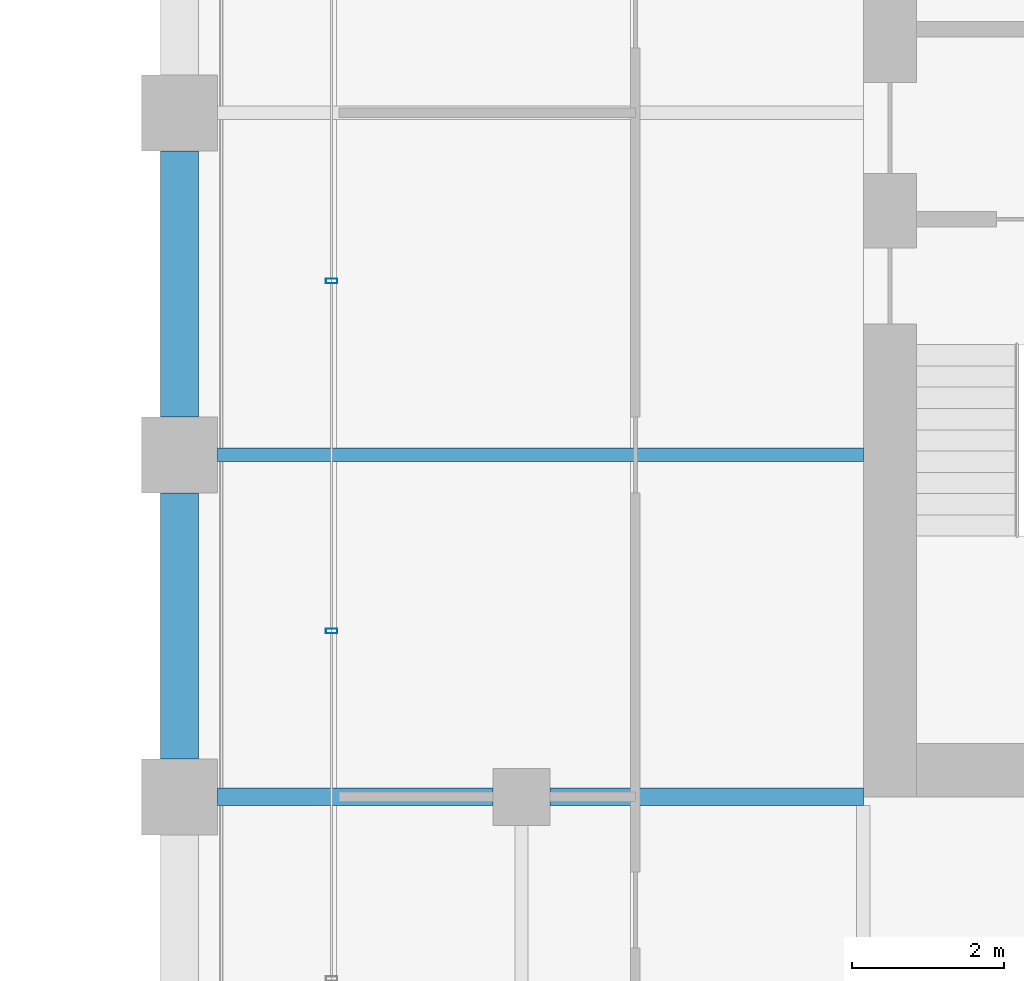
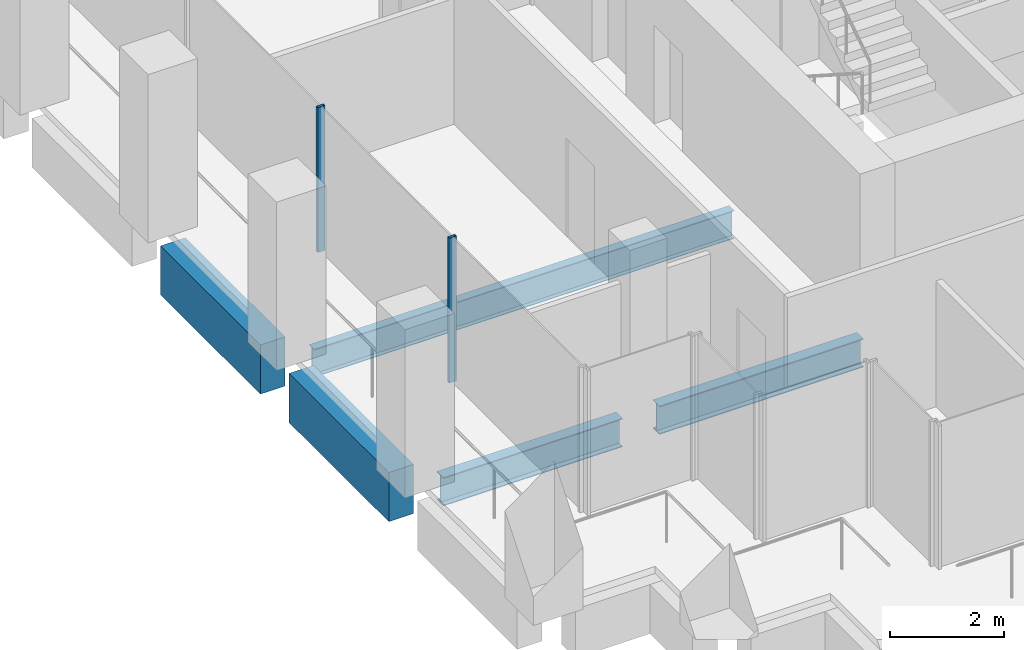
# One storey, part 30 of 46: 5 beams, 2 members, 1 element without a shape of its own.
"""IFC4 building model written with IfcOpenShell, lengths in metres."""

from ifc_helpers import new_model, si_unit, direction, frame, origin, origin_2d, place, context, subcontext, project, spatial, rectangle, hollow_rectangle, i_section, extrude, material, material_profile, profile_set, type_object, element, aggregate, save


model = new_model("IFC4")

# Units and contexts
model_context = context("Model", 3, precision=1e-05, world=origin(), true_north=direction((0.0, 1.0)))
body_context = subcontext(model_context, "Body", "Model", "MODEL_VIEW")
ifc_project = project(units=[si_unit("LENGTHUNIT", "METRE"), si_unit("AREAUNIT", "SQUARE_METRE"), si_unit("VOLUMEUNIT", "CUBIC_METRE"), si_unit("PLANEANGLEUNIT", "RADIAN"), si_unit("MASSUNIT", "GRAM", prefix="KILO")], contexts=[model_context])

# Site, building, storey
site_placement = place(None, origin())
site = spatial("IfcSite", under=ifc_project, at=site_placement, CompositionType="ELEMENT")
building_placement = place(site_placement, origin())
building = spatial("IfcBuilding", under=site, at=building_placement, Name="Altepetl Exchange Towers", CompositionType="ELEMENT")
storey_placement = place(building_placement, frame((0.0, 0.0, 135.199951171875)))
storey = spatial("IfcBuildingStorey", under=building, at=storey_placement, Name="L33", CompositionType="ELEMENT", Elevation=135.199951171875)

# Beams
ifc_material_1 = material(Name="Steel S355", Category="steel")
ifc_material_profile_1 = material_profile(ifc_material_1, i_section(OverallWidth=0.177978515625, OverallDepth=0.59912109375, WebThickness=0.010009765625, FlangeThickness=0.0126953125, at=origin_2d()), Name="W24X55")
ifc_profile_set_1 = profile_set([ifc_material_profile_1], Name="Steel S355")
beam_type_1 = type_object("IfcBeamType", Name="Floor beam W24X55", PredefinedType="BEAM", material=ifc_profile_set_1)
beam_1_placement = place(storey_placement, frame((95.0, 40.5, -0.449462890625), z_axis=(1.0, 0.0, 0.0), x_axis=(0.0, 1.0, 0.0)))
element("IfcBeam", 1, at=beam_1_placement, inside=storey, type_object=beam_type_1, Name="bm:B:L33:008", PredefinedType="BEAM", context=body_context, shape_type="SweptSolid", body=[
    extrude(i_section(OverallWidth=0.177978515625, OverallDepth=0.59912109375, WebThickness=0.010009765625, FlangeThickness=0.0126953125, at=origin_2d()), origin(), (0.0, 0.0, 1.0), 8.5),
])
ifc_material_profile_2 = material_profile(ifc_material_1, i_section(OverallWidth=0.22802734375, OverallDepth=0.60791015625, WebThickness=0.01123046875, FlangeThickness=0.017333984375, at=origin_2d()), Name="W24X76")
ifc_profile_set_2 = profile_set([ifc_material_profile_2], Name="Steel S355")
beam_type_2 = type_object("IfcBeamType", Name="Girder W24X76", PredefinedType="BEAM", material=ifc_profile_set_2)
beam_2_placement = place(storey_placement, frame((103.5, 36.0, -0.453857421875), z_axis=(-1.0, 0.0, 0.0), x_axis=(0.0, -1.0, 0.0)))
element("IfcBeam", 2, at=beam_2_placement, inside=storey, type_object=beam_type_2, Name="gd:B:L33:002", PredefinedType="BEAM", context=body_context, shape_type="SweptSolid", body=[
    extrude(i_section(OverallWidth=0.22802734375, OverallDepth=0.60791015625, WebThickness=0.01123046875, FlangeThickness=0.017333984375, at=origin_2d()), origin(), (0.0, 0.0, 1.0), 4.125),
])
beam_3_placement = place(storey_placement, frame((98.625, 36.0, -0.453857421875), z_axis=(-1.0, 0.0, 0.0), x_axis=(0.0, -1.0, 0.0)))
element("IfcBeam", 3, at=beam_3_placement, inside=storey, type_object=beam_type_2, Name="gd:B:L33:003", PredefinedType="BEAM", context=body_context, shape_type="SweptSolid", body=[
    extrude(i_section(OverallWidth=0.22802734375, OverallDepth=0.60791015625, WebThickness=0.01123046875, FlangeThickness=0.017333984375, at=origin_2d()), origin(), (0.0, 0.0, 1.0), 3.625),
])

# Curtain wall, members
ifc_material_2 = material(Name="Aluminium 6063-T6 glazing", Category="aluminium")
curtain_wall_type = type_object("IfcCurtainWallType", Name="Loggia glazing system", PredefinedType="NOTDEFINED", material=ifc_material_2)
curtain_wall_placement = place(storey_placement, origin())
curtain_wall = element("IfcCurtainWall", 4, at=curtain_wall_placement, inside=storey, type_object=curtain_wall_type, Name="CW1 run", PredefinedType="NOTDEFINED")
ifc_material_3 = material(Name="Aluminium 6063-T6", Category="aluminium")
ifc_material_profile_3 = material_profile(ifc_material_3, hollow_rectangle(XDim=0.06005859375, YDim=0.14990234375, WallThickness=0.0029296875, at=origin_2d()), Name="Mullion 60x150 aluminium")
ifc_profile_set_3 = profile_set([ifc_material_profile_3], Name="Aluminium 6063-T6")
member_type = type_object("IfcMemberType", Name="Mullion 60x150 aluminium", PredefinedType="MULLION", material=ifc_profile_set_3)
member_1_placement = place(storey_placement, frame((96.5, 42.78759765625, 0.0), z_axis=(0.0, 0.0, 1.0), x_axis=(0.0, -1.0, 0.0)))
member_1 = element("IfcMember", 5, at=member_1_placement, type_object=member_type, Name="MU1 mullion", PredefinedType="MULLION", context=body_context, shape_type="SweptSolid", body=[
    extrude(hollow_rectangle(XDim=0.06005859375, YDim=0.14990234375, WallThickness=0.0029296875, at=origin_2d()), origin(), (0.0, 0.0, 1.0), 3.10009765625),
])
member_2_placement = place(storey_placement, frame((96.5, 38.18115234375, 0.0), z_axis=(0.0, 0.0, 1.0), x_axis=(0.0, -1.0, 0.0)))
member_2 = element("IfcMember", 6, at=member_2_placement, type_object=member_type, Name="MU1 mullion", PredefinedType="MULLION", context=body_context, shape_type="SweptSolid", body=[
    extrude(hollow_rectangle(XDim=0.06005859375, YDim=0.14990234375, WallThickness=0.0029296875, at=origin_2d()), origin(), (0.0, 0.0, 1.0), 3.10009765625),
])
aggregate(curtain_wall, [member_1, member_2])

# Beams
ifc_material_4 = material(Name="Concrete C50/60 precast with cantera rosa facing", Category="concrete")
ifc_material_profile_4 = material_profile(ifc_material_4, rectangle(XDim=0.5, YDim=1.050048828125, at=origin_2d()), Name="500 x 1050")
ifc_profile_set_4 = profile_set([ifc_material_profile_4], Name="Concrete C50/60 precast with cantera rosa facing")
beam_type_3 = type_object("IfcBeamType", Name="Spandrel beam 500x1050 cantera rosa", PredefinedType="SPANDREL", material=ifc_profile_set_4)
for number, where, z_axis, x_axis, name in (
    (7, (94.5, 44.5, -0.675048828125), (0.0, -1.0, 0.0), (1.0, 0.0, 0.0), "sp:B:L33:024"),
    (8, (94.5, 40.0, -0.675048828125), (0.0, -1.0, 0.0), (1.0, 0.0, 0.0), "sp:B:L33:025"),
):
    element("IfcBeam", number, at=place(storey_placement, frame(where, z_axis=z_axis, x_axis=x_axis)), inside=storey, type_object=beam_type_3, Name=name, PredefinedType="SPANDREL", context=body_context, shape_type="SweptSolid", body=[
        extrude(rectangle(XDim=0.5, YDim=1.050048828125, at=origin_2d()), origin(), (0.0, 0.0, 1.0), 3.5),
    ])

save(model, "model.ifc")
